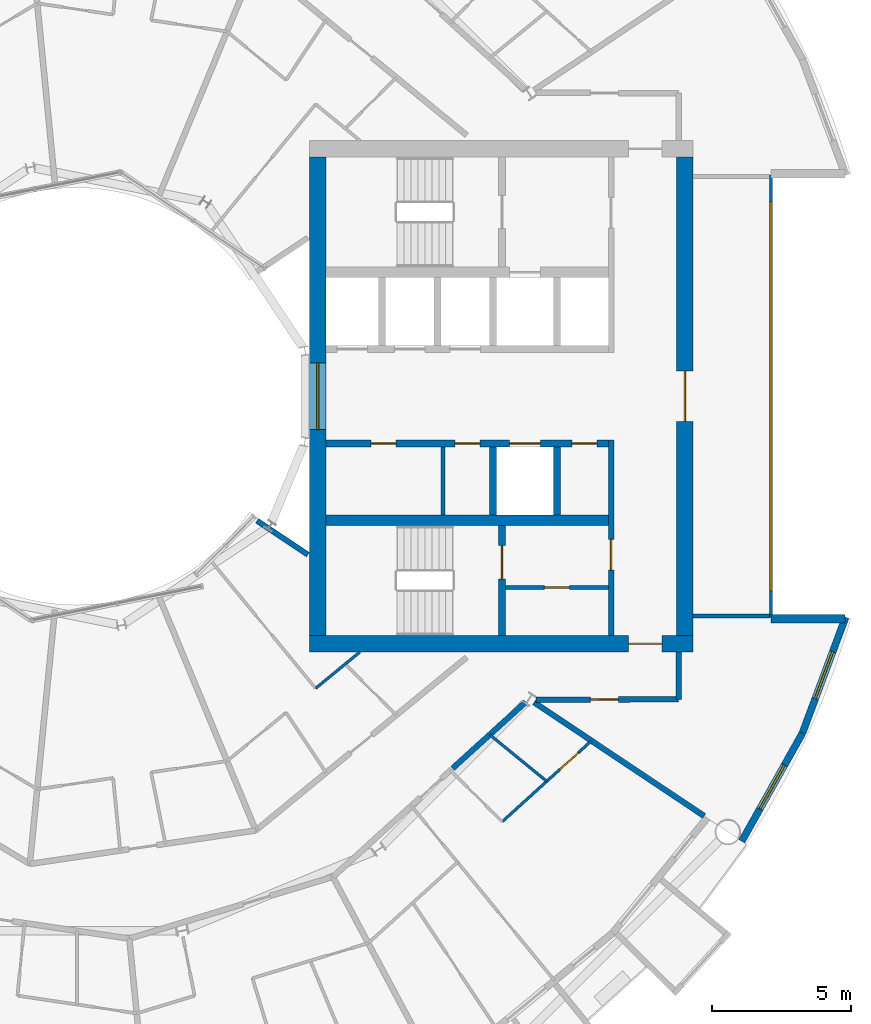
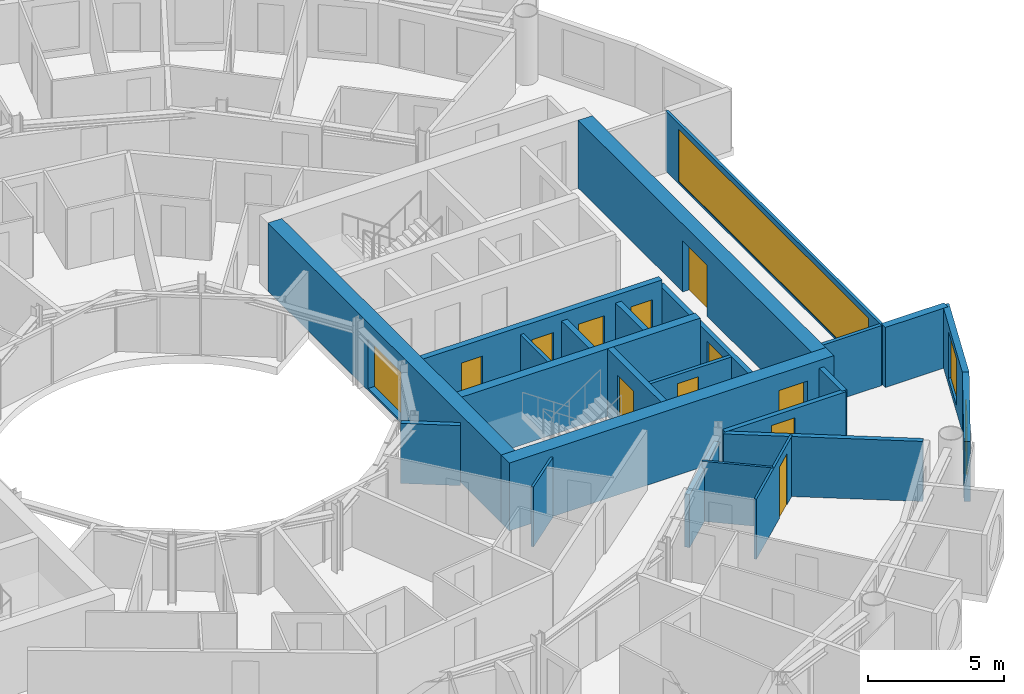
# One storey, part 18 of 28: 24 walls, 11 doors, 4 windows, 15 openings.
"""IFC4 building model written with IfcOpenShell, lengths in metres."""

from ifc_helpers import new_model, si_unit, direction, frame, frame_2d, origin, place, context, subcontext, project, spatial, rectangle, extrude, material, layer, layer_set, type_object, element, fill, save


model = new_model("IFC4")

# Units and contexts
model_context = context("Model", 3, precision=1e-05, world=origin(), true_north=direction((0.0, 1.0)))
body_context = subcontext(model_context, "Body", "Model", "MODEL_VIEW")
ifc_project = project(units=[si_unit("LENGTHUNIT", "METRE"), si_unit("AREAUNIT", "SQUARE_METRE"), si_unit("VOLUMEUNIT", "CUBIC_METRE"), si_unit("PLANEANGLEUNIT", "RADIAN"), si_unit("MASSUNIT", "GRAM", prefix="KILO")], contexts=[model_context])

# Site, building, storey
site_placement = place(None, origin())
site = spatial("IfcSite", under=ifc_project, at=site_placement, CompositionType="ELEMENT")
building_placement = place(site_placement, origin())
building = spatial("IfcBuilding", under=site, at=building_placement, Name="Maasbend Ring Residences", CompositionType="ELEMENT")
storey_placement = place(building_placement, frame((0.0, 0.0, 133.0)))
storey = spatial("IfcBuildingStorey", under=building, at=storey_placement, Name="L38", CompositionType="ELEMENT", Elevation=133.0)

# Wall, openings, doors
ifc_material_1 = material(Name="Concrete C60/75", Category="concrete")
ifc_layer_1 = layer(ifc_material_1, 0.25)
ifc_layer_set_1 = layer_set([ifc_layer_1], Name="Concrete C60/75")
wall_type_1 = type_object("IfcWallType", Name="CORE WALL 250 C60/75", PredefinedType="SHEAR", material=ifc_layer_set_1)
wall_1_placement = place(storey_placement, frame((19.14990234375, -1.699951171875, 0.0), z_axis=(0.0, 0.0, 1.0), x_axis=(-1.0, 0.0, 0.0)))
wall_1 = element("IfcWall", 1, at=wall_1_placement, inside=storey, type_object=wall_type_1, Name="L38 core E wall SPS", PredefinedType="SHEAR", context=body_context, shape_type="SweptSolid", body=[
    extrude(rectangle(XDim=10.14990234375, YDim=0.25, at=frame_2d((5.074951171875, 0.0))), origin(), (0.0, 0.0, 1.0), 3.050048828125),
])
opening_1_placement = place(wall_1_placement, frame((2.449951171875, 0.0, 0.0)))
opening_1 = element("IfcOpeningElement", 2, at=opening_1_placement, cuts=wall_1, Name="Opening LD-E3805", PredefinedType="OPENING", context=body_context, shape_type="SweptSolid", body=[
    extrude(rectangle(XDim=1.10009765625, YDim=2.300048828125, at=frame_2d((0.550048828125, 1.14990234375))), frame((0.0, 0.135009765625, 0.0), z_axis=(0.0, -1.0, 0.0), x_axis=(1.0, 0.0, 0.0)), (0.0, 0.0, 1.0), 0.27001953125),
])
opening_2_placement = place(wall_1_placement, frame((7.637451171875, 0.0, 0.0)))
opening_2 = element("IfcOpeningElement", 3, at=opening_2_placement, cuts=wall_1, Name="Opening D-E3806", PredefinedType="OPENING", context=body_context, shape_type="SweptSolid", body=[
    extrude(rectangle(XDim=0.89990234375, YDim=2.300048828125, at=frame_2d((0.449951171875, 1.14990234375))), frame((0.0, 0.135009765625, 0.0), z_axis=(0.0, -1.0, 0.0), x_axis=(1.0, 0.0, 0.0)), (0.0, 0.0, 1.0), 0.27001953125),
])
opening_3_placement = place(wall_1_placement, frame((4.625, 0.0, 0.0)))
opening_3 = element("IfcOpeningElement", 4, at=opening_3_placement, cuts=wall_1, Name="Opening D-E3807", PredefinedType="OPENING", context=body_context, shape_type="SweptSolid", body=[
    extrude(rectangle(XDim=0.89990234375, YDim=2.300048828125, at=frame_2d((0.449951171875, 1.14990234375))), frame((0.0, 0.135009765625, 0.0), z_axis=(0.0, -1.0, 0.0), x_axis=(1.0, 0.0, 0.0)), (0.0, 0.0, 1.0), 0.27001953125),
])
opening_4_placement = place(wall_1_placement, frame((0.41259765625, 0.0, 0.0)))
opening_4 = element("IfcOpeningElement", 5, at=opening_4_placement, cuts=wall_1, Name="Opening D-E3808", PredefinedType="OPENING", context=body_context, shape_type="SweptSolid", body=[
    extrude(rectangle(XDim=0.89990234375, YDim=2.300048828125, at=frame_2d((0.449951171875, 1.14990234375))), frame((0.0, 0.135009765625, 0.0), z_axis=(0.0, -1.0, 0.0), x_axis=(1.0, 0.0, 0.0)), (0.0, 0.0, 1.0), 0.27001953125),
])
ifc_material_2 = material(Name="Stainless steel 316", Category="steel")
door_type_1 = type_object("IfcDoorType", Name="LANDING DOOR 1100 X 2300 FD60", OperationType="DOUBLE_DOOR_SLIDING", PredefinedType="DOOR", material=ifc_material_2)
door_1_placement = place(opening_1_placement, origin())
door_1 = element("IfcDoor", 6, at=door_1_placement, inside=storey, type_object=door_type_1, Name="Landing door SV-E L38", OperationType="DOUBLE_DOOR_SLIDING", OverallHeight=2.300048828125, OverallWidth=1.10009765625, PredefinedType="DOOR", context=body_context, shape_type="SweptSolid", body=[
    extrude(rectangle(XDim=1.10009765625, YDim=2.300048828125, at=frame_2d((0.550048828125, 1.14990234375))), frame((0.0, 0.02490234375, 0.0), z_axis=(0.0, -1.0, 0.0), x_axis=(1.0, 0.0, 0.0)), (0.0, 0.0, 1.0), 0.050048828125),
])
fill(opening_1, door_1)
ifc_material_3 = material(Name="Steel, powder coated", Category="steel")
door_type_2 = type_object("IfcDoorType", Name="ROOM DOOR 900 X 2300 FD30S", OperationType="NOTDEFINED", PredefinedType="DOOR", material=ifc_material_3)
door_2_placement = place(opening_2_placement, origin())
door_2 = element("IfcDoor", 7, at=door_2_placement, inside=storey, type_object=door_type_2, Name="Room door L38", OperationType="SINGLE_SWING_LEFT", OverallHeight=2.300048828125, OverallWidth=0.89990234375, PredefinedType="DOOR", context=body_context, shape_type="SweptSolid", body=[
    extrude(rectangle(XDim=0.89990234375, YDim=2.300048828125, at=frame_2d((0.449951171875, 1.14990234375))), frame((0.0, 0.02490234375, 0.0), z_axis=(0.0, -1.0, 0.0), x_axis=(1.0, 0.0, 0.0)), (0.0, 0.0, 1.0), 0.050048828125),
])
fill(opening_2, door_2)
door_3_placement = place(opening_3_placement, origin())
door_3 = element("IfcDoor", 8, at=door_3_placement, inside=storey, type_object=door_type_2, Name="Room door L38", OperationType="SINGLE_SWING_LEFT", OverallHeight=2.300048828125, OverallWidth=0.89990234375, PredefinedType="DOOR", context=body_context, shape_type="SweptSolid", body=[
    extrude(rectangle(XDim=0.89990234375, YDim=2.300048828125, at=frame_2d((0.449951171875, 1.14990234375))), frame((0.0, 0.02490234375, 0.0), z_axis=(0.0, -1.0, 0.0), x_axis=(1.0, 0.0, 0.0)), (0.0, 0.0, 1.0), 0.050048828125),
])
fill(opening_3, door_3)
door_4_placement = place(opening_4_placement, origin())
door_4 = element("IfcDoor", 9, at=door_4_placement, inside=storey, type_object=door_type_2, Name="Room door L38", OperationType="SINGLE_SWING_RIGHT", OverallHeight=2.300048828125, OverallWidth=0.89990234375, PredefinedType="DOOR", context=body_context, shape_type="SweptSolid", body=[
    extrude(rectangle(XDim=0.89990234375, YDim=2.300048828125, at=frame_2d((0.449951171875, 1.14990234375))), frame((0.0, 0.02490234375, 0.0), z_axis=(0.0, -1.0, 0.0), x_axis=(1.0, 0.0, 0.0)), (0.0, 0.0, 1.0), 0.050048828125),
])
fill(opening_4, door_4)

# Wall, opening, door
wall_2_placement = place(storey_placement, frame((15.324951171875, -8.60009765625, 0.0), z_axis=(0.0, 0.0, 1.0), x_axis=(0.0, 1.0, 0.0)))
wall_2 = element("IfcWall", 10, at=wall_2_placement, inside=storey, type_object=wall_type_1, Name="L38 core E wall STES", PredefinedType="SHEAR", context=body_context, shape_type="SweptSolid", body=[
    extrude(rectangle(XDim=3.9501953125, YDim=0.25, at=frame_2d((1.97509765625, 0.0))), origin(), (0.0, 0.0, 1.0), 3.050048828125),
])
opening_5_placement = place(wall_2_placement, frame((2.02490234375, 0.0, 0.0)))
opening_5 = element("IfcOpeningElement", 11, at=opening_5_placement, cuts=wall_2, Name="Opening D-E3811", PredefinedType="OPENING", context=body_context, shape_type="SweptSolid", body=[
    extrude(rectangle(XDim=1.199951171875, YDim=2.300048828125, at=frame_2d((0.60009765625, 1.14990234375))), frame((0.0, 0.135009765625, 0.0), z_axis=(0.0, -1.0, 0.0), x_axis=(1.0, 0.0, 0.0)), (0.0, 0.0, 1.0), 0.27001953125),
])
ifc_material_4 = material(Name="Steel, powder coated", Category="steel")
door_type_3 = type_object("IfcDoorType", Name="STAIR DOOR 1200 X 2300 FD60", OperationType="NOTDEFINED", PredefinedType="DOOR", material=ifc_material_4)
door_5_placement = place(opening_5_placement, origin())
door_5 = element("IfcDoor", 12, at=door_5_placement, inside=storey, type_object=door_type_3, Name="Stair door ST-E L38", OperationType="SINGLE_SWING_LEFT", OverallHeight=2.300048828125, OverallWidth=1.199951171875, PredefinedType="DOOR", context=body_context, shape_type="SweptSolid", body=[
    extrude(rectangle(XDim=1.199951171875, YDim=2.300048828125, at=frame_2d((0.60009765625, 1.14990234375))), frame((0.0, 0.02490234375, 0.0), z_axis=(0.0, -1.0, 0.0), x_axis=(1.0, 0.0, 0.0)), (0.0, 0.0, 1.0), 0.050048828125),
])
fill(opening_5, door_5)

# Wall
ifc_material_5 = material(Name="Concrete C60/75", Category="concrete")
ifc_layer_2 = layer(ifc_material_5, 0.375)
ifc_layer_set_2 = layer_set([ifc_layer_2], Name="Concrete C60/75")
wall_type_2 = type_object("IfcWallType", Name="CORE WALL 375 C60/75", PredefinedType="SHEAR", material=ifc_layer_set_2)
wall_3_placement = place(storey_placement, frame((9.0, -4.46240234375, 0.0), z_axis=(0.0, 0.0, 1.0), x_axis=(1.0, 0.0, 0.0)))
element("IfcWall", 13, at=wall_3_placement, inside=storey, type_object=wall_type_2, Name="L38 core E wall BS", PredefinedType="SHEAR", context=body_context, shape_type="SweptSolid", body=[
    extrude(rectangle(XDim=10.14990234375, YDim=0.375, at=frame_2d((5.074951171875, 0.0))), origin(), (0.0, 0.0, 1.0), 3.050048828125),
])

# Wall, opening, door
ifc_material_6 = material(Name="Concrete C60/75", Category="concrete")
ifc_layer_3 = layer(ifc_material_6, 0.60009765625)
ifc_layer_set_3 = layer_set([ifc_layer_3], Name="Concrete C60/75")
wall_type_3 = type_object("IfcWallType", Name="CORE WALL 600 C60/75", PredefinedType="SHEAR", material=ifc_layer_set_3)
wall_4_placement = place(storey_placement, frame((8.39990234375, -8.89990234375, 0.0), z_axis=(0.0, 0.0, 1.0), x_axis=(1.0, 0.0, 0.0)))
wall_4 = element("IfcWall", 14, at=wall_4_placement, inside=storey, type_object=wall_type_3, Name="L38 core E wall PS", PredefinedType="SHEAR", context=body_context, shape_type="SweptSolid", body=[
    extrude(rectangle(XDim=13.800048828125, YDim=0.60009765625, at=frame_2d((6.89990234375, 0.0))), origin(), (0.0, 0.0, 1.0), 3.050048828125),
])
opening_6_placement = place(wall_4_placement, frame((11.47509765625, 0.0, 0.0)))
opening_6 = element("IfcOpeningElement", 15, at=opening_6_placement, cuts=wall_4, Name="Opening D-E3815", PredefinedType="OPENING", context=body_context, shape_type="SweptSolid", body=[
    extrude(rectangle(XDim=1.199951171875, YDim=2.300048828125, at=frame_2d((0.60009765625, 1.14990234375))), frame((0.0, 0.31005859375, 0.0), z_axis=(0.0, -1.0, 0.0), x_axis=(1.0, 0.0, 0.0)), (0.0, 0.0, 1.0), 0.6201171875),
])
ifc_material_7 = material(Name="Steel, powder coated", Category="steel")
door_type_4 = type_object("IfcDoorType", Name="CORRIDOR DOOR 1200 X 2300 FD30S", OperationType="NOTDEFINED", PredefinedType="DOOR", material=ifc_material_7)
door_6_placement = place(opening_6_placement, origin())
door_6 = element("IfcDoor", 16, at=door_6_placement, inside=storey, type_object=door_type_4, Name="Corridor door L38", OperationType="SINGLE_SWING_LEFT", OverallHeight=2.300048828125, OverallWidth=1.199951171875, PredefinedType="DOOR", context=body_context, shape_type="SweptSolid", body=[
    extrude(rectangle(XDim=1.199951171875, YDim=2.300048828125, at=frame_2d((0.60009765625, 1.14990234375))), frame((0.0, 0.02490234375, 0.0), z_axis=(0.0, -1.0, 0.0), x_axis=(1.0, 0.0, 0.0)), (0.0, 0.0, 1.0), 0.050048828125),
])
fill(opening_6, door_6)

wall_5_placement = place(storey_placement, frame((21.89990234375, 8.60009765625, 0.0), z_axis=(0.0, 0.0, 1.0), x_axis=(0.0, -1.0, 0.0)))
wall_5 = element("IfcWall", 17, at=wall_5_placement, inside=storey, type_object=wall_type_3, Name="L38 core E wall POUT", PredefinedType="SHEAR", context=body_context, shape_type="SweptSolid", body=[
    extrude(rectangle(XDim=17.2001953125, YDim=0.60009765625, at=frame_2d((8.60009765625, 0.0))), origin(), (0.0, 0.0, 1.0), 3.050048828125),
])
opening_7_placement = place(wall_5_placement, frame((7.699951171875, 0.0, 0.0)))
opening_7 = element("IfcOpeningElement", 18, at=opening_7_placement, cuts=wall_5, Name="Opening D-E3816", PredefinedType="OPENING", context=body_context, shape_type="SweptSolid", body=[
    extrude(rectangle(XDim=1.800048828125, YDim=2.300048828125, at=frame_2d((0.89990234375, 1.14990234375))), frame((0.0, 0.31005859375, 0.0), z_axis=(0.0, -1.0, 0.0), x_axis=(1.0, 0.0, 0.0)), (0.0, 0.0, 1.0), 0.6201171875),
])
ifc_material_8 = material(Name="Aluminium frame, clear glass", Category="aluminium")
door_type_5 = type_object("IfcDoorType", Name="ENTRANCE DOOR 1800 X 2300 FD60", OperationType="NOTDEFINED", PredefinedType="DOOR", material=ifc_material_8)
door_7_placement = place(opening_7_placement, origin())
door_7 = element("IfcDoor", 19, at=door_7_placement, inside=storey, type_object=door_type_5, Name="Lobby glazed door L38", OperationType="SINGLE_SWING_LEFT", OverallHeight=2.300048828125, OverallWidth=1.800048828125, PredefinedType="DOOR", context=body_context, shape_type="SweptSolid", body=[
    extrude(rectangle(XDim=1.800048828125, YDim=2.300048828125, at=frame_2d((0.89990234375, 1.14990234375))), frame((0.0, 0.02490234375, 0.0), z_axis=(0.0, -1.0, 0.0), x_axis=(1.0, 0.0, 0.0)), (0.0, 0.0, 1.0), 0.050048828125),
])
fill(opening_7, door_7)

# Wall, opening, window
wall_6_placement = place(storey_placement, frame((8.699951171875, -8.60009765625, 0.0), z_axis=(0.0, 0.0, 1.0), x_axis=(0.0, 1.0, 0.0)))
wall_6 = element("IfcWall", 20, at=wall_6_placement, inside=storey, type_object=wall_type_3, Name="L38 core E wall PIN", PredefinedType="SHEAR", context=body_context, shape_type="SweptSolid", body=[
    extrude(rectangle(XDim=17.2001953125, YDim=0.60009765625, at=frame_2d((8.60009765625, 0.0))), origin(), (0.0, 0.0, 1.0), 3.050048828125),
])
opening_8_placement = place(wall_6_placement, frame((7.39990234375, 0.0, 0.10009765625)))
opening_8 = element("IfcOpeningElement", 21, at=opening_8_placement, cuts=wall_6, Name="Opening W-E3801", PredefinedType="OPENING", context=body_context, shape_type="SweptSolid", body=[
    extrude(rectangle(XDim=2.39990234375, YDim=2.199951171875, at=frame_2d((1.199951171875, 1.10009765625))), frame((0.0, 0.31005859375, 0.0), z_axis=(0.0, -1.0, 0.0), x_axis=(1.0, 0.0, 0.0)), (0.0, 0.0, 1.0), 0.6201171875),
])
ifc_material_9 = material(Name="Aluminium frame and clear glass", Category="aluminium")
window_type_1 = type_object("IfcWindowType", Name="FIXED WINDOW 2400 X 2200", PartitioningType="SINGLE_PANEL", PredefinedType="WINDOW", material=ifc_material_9)
window_1_placement = place(opening_8_placement, origin())
window_1 = element("IfcWindow", 22, at=window_1_placement, inside=storey, type_object=window_type_1, Name="Lobby window L38", OverallHeight=2.199951171875, OverallWidth=2.39990234375, PartitioningType="SINGLE_PANEL", PredefinedType="WINDOW", context=body_context, shape_type="SweptSolid", body=[
    extrude(rectangle(XDim=2.39990234375, YDim=2.199951171875, at=frame_2d((1.199951171875, 1.10009765625))), frame((0.0, 0.030029296875, 0.0), z_axis=(0.0, -1.0, 0.0), x_axis=(1.0, 0.0, 0.0)), (0.0, 0.0, 1.0), 0.06005859375),
])
fill(opening_8, window_1)

# Walls
ifc_material_10 = material(Name="Concrete C30/37", Category="concrete")
ifc_layer_4 = layer(ifc_material_10, 0.199951171875)
ifc_layer_set_4 = layer_set([ifc_layer_4], Name="Concrete C30/37")
wall_type_4 = type_object("IfcWallType", Name="CORRIDOR WALL 200 CONCRETE", PredefinedType="PARTITIONING", material=ifc_layer_set_4)
wall_7_placement = place(storey_placement, frame((21.675048828125, -10.89990234375, 0.0), z_axis=(0.0, 0.0, 1.0), x_axis=(0.0, 1.0, 0.0)))
element("IfcWall", 23, at=wall_7_placement, inside=storey, type_object=wall_type_4, Name="U-L38-w003", PredefinedType="PARTITIONING", context=body_context, shape_type="SweptSolid", body=[
    extrude(rectangle(XDim=1.699951171875, YDim=0.199951171875, at=frame_2d((0.85009765625, 0.0))), origin(), (0.0, 0.0, 1.0), 2.699951171875),
])
wall_8_placement = place(storey_placement, frame((13.544921875, -13.384033203125, 0.0), z_axis=(0.0, 0.0, 1.0), x_axis=(0.740607766684, 0.671937598239, 0.0)))
element("IfcWall", 24, at=wall_8_placement, inside=storey, type_object=wall_type_4, Name="U-L38-w014", PredefinedType="PARTITIONING", context=body_context, shape_type="SweptSolid", body=[
    extrude(rectangle(XDim=3.55517578125, YDim=0.199951171875, at=frame_2d((1.777587890625, 0.0))), origin(), (0.0, 0.0, 1.0), 2.389892578125),
])

# Wall, opening, door
wall_9_placement = place(storey_placement, frame((16.5400390625, -10.9130859375, 0.0), z_axis=(0.0, 0.0, 1.0), x_axis=(0.99999670426, 0.002567385634, 0.0)))
wall_9 = element("IfcWall", 25, at=wall_9_placement, inside=storey, type_object=wall_type_4, Name="U-L38-w026", PredefinedType="PARTITIONING", context=body_context, shape_type="SweptSolid", body=[
    extrude(rectangle(XDim=5.135009765625, YDim=0.199951171875, at=frame_2d((2.5673828125, 0.0))), origin(), (0.0, 0.0, 1.0), 2.699951171875),
])
opening_9_placement = place(wall_9_placement, frame((1.965087890625, 0.0, 0.0)))
opening_9 = element("IfcOpeningElement", 26, at=opening_9_placement, cuts=wall_9, Name="Opening D-3873", PredefinedType="OPENING", context=body_context, shape_type="SweptSolid", body=[
    extrude(rectangle(XDim=1.0, YDim=2.300048828125, at=frame_2d((0.5, 1.14990234375))), frame((0.0, 0.10986328125, 0.0), z_axis=(0.0, -1.0, 0.0), x_axis=(1.0, 0.0, 0.0)), (0.0, 0.0, 1.0), 0.219970703125),
])
ifc_material_11 = material(Name="Timber, painted", Category="wood")
door_type_6 = type_object("IfcDoorType", Name="ROOM DOOR 1000 X 2300", OperationType="NOTDEFINED", PredefinedType="DOOR", material=ifc_material_11)
door_8_placement = place(opening_9_placement, origin())
door_8 = element("IfcDoor", 27, at=door_8_placement, inside=storey, type_object=door_type_6, Name="D-3873", OperationType="SINGLE_SWING_LEFT", OverallHeight=2.300048828125, OverallWidth=1.0, PredefinedType="DOOR", context=body_context, shape_type="SweptSolid", body=[
    extrude(rectangle(XDim=1.0, YDim=2.300048828125, at=frame_2d((0.5, 1.14990234375))), frame((0.0, 0.02490234375, 0.0), z_axis=(0.0, -1.0, 0.0), x_axis=(1.0, 0.0, 0.0)), (0.0, 0.0, 1.0), 0.050048828125),
])
fill(opening_9, door_8)

# Wall, opening, window
ifc_material_12 = material(Name="Aluminium clad insulated panel", Category="aluminium")
ifc_layer_5 = layer(ifc_material_12, 0.25)
ifc_layer_set_5 = layer_set([ifc_layer_5], Name="EW-HORN")
wall_type_5 = type_object("IfcWallType", Name="EW-HORN", PredefinedType="SOLIDWALL", material=ifc_layer_set_5)
wall_10_placement = place(storey_placement, frame((23.946044921875, -16.0, 0.0), z_axis=(0.0, 0.0, 1.0), x_axis=(0.489696356642, 0.871893042919, 0.0)))
wall_10 = element("IfcWall", 28, at=wall_10_placement, inside=storey, type_object=wall_type_5, Name="Horn wall 2.1", PredefinedType="SOLIDWALL", context=body_context, shape_type="SweptSolid", body=[
    extrude(rectangle(XDim=4.45361328125, YDim=0.25, at=frame_2d((2.226806640625, 0.0))), origin(), (0.0, 0.0, 1.0), 2.699951171875),
])
opening_10_placement = place(wall_10_placement, frame((1.32666015625, 0.0, 0.300048828125)))
opening_10 = element("IfcOpeningElement", 29, at=opening_10_placement, cuts=wall_10, Name="Opening W-BX", PredefinedType="OPENING", context=body_context, shape_type="SweptSolid", body=[
    extrude(rectangle(XDim=1.800048828125, YDim=2.10009765625, at=frame_2d((0.89990234375, 1.050048828125))), frame((0.0, 0.135009765625, 0.0), z_axis=(0.0, -1.0, 0.0), x_axis=(1.0, 0.0, 0.0)), (0.0, 0.0, 1.0), 0.27001953125),
])
ifc_material_13 = material(Name="Aluminium and clear glass", Category="aluminium")
window_type_2 = type_object("IfcWindowType", Name="W-BX", PartitioningType="DOUBLE_PANEL_VERTICAL", PredefinedType="WINDOW", material=ifc_material_13)
window_2_placement = place(opening_10_placement, origin())
window_2 = element("IfcWindow", 30, at=window_2_placement, inside=storey, type_object=window_type_2, Name="Horn window 2.1", OverallHeight=2.10009765625, OverallWidth=1.800048828125, PartitioningType="SINGLE_PANEL", PredefinedType="WINDOW", context=body_context, shape_type="SweptSolid", body=[
    extrude(rectangle(XDim=1.800048828125, YDim=2.10009765625, at=frame_2d((0.89990234375, 1.050048828125))), frame((0.0, 0.030029296875, 0.0), z_axis=(0.0, -1.0, 0.0), x_axis=(1.0, 0.0, 0.0)), (0.0, 0.0, 1.0), 0.06005859375),
])
fill(opening_10, window_2)

wall_11_placement = place(storey_placement, frame((26.126953125, -12.116943359375, 0.0), z_axis=(0.0, 0.0, 1.0), x_axis=(0.349247811493, 0.937030397675, 0.0)))
wall_11 = element("IfcWall", 31, at=wall_11_placement, inside=storey, type_object=wall_type_5, Name="Horn wall 2.2", PredefinedType="SOLIDWALL", context=body_context, shape_type="SweptSolid", body=[
    extrude(rectangle(XDim=4.4521484375, YDim=0.25, at=frame_2d((2.22607421875, 0.0))), origin(), (0.0, 0.0, 1.0), 2.699951171875),
])
opening_11_placement = place(wall_11_placement, frame((1.32666015625, 0.0, 0.300048828125)))
opening_11 = element("IfcOpeningElement", 32, at=opening_11_placement, cuts=wall_11, Name="Opening W-BX", PredefinedType="OPENING", context=body_context, shape_type="SweptSolid", body=[
    extrude(rectangle(XDim=1.800048828125, YDim=2.10009765625, at=frame_2d((0.89990234375, 1.050048828125))), frame((0.0, 0.135009765625, 0.0), z_axis=(0.0, -1.0, 0.0), x_axis=(1.0, 0.0, 0.0)), (0.0, 0.0, 1.0), 0.27001953125),
])
window_3_placement = place(opening_11_placement, origin())
window_3 = element("IfcWindow", 33, at=window_3_placement, inside=storey, type_object=window_type_2, Name="Horn window 2.2", OverallHeight=2.10009765625, OverallWidth=1.800048828125, PartitioningType="SINGLE_PANEL", PredefinedType="WINDOW", context=body_context, shape_type="SweptSolid", body=[
    extrude(rectangle(XDim=1.800048828125, YDim=2.10009765625, at=frame_2d((0.89990234375, 1.050048828125))), frame((0.0, 0.030029296875, 0.0), z_axis=(0.0, -1.0, 0.0), x_axis=(1.0, 0.0, 0.0)), (0.0, 0.0, 1.0), 0.06005859375),
])
fill(opening_11, window_3)

# Wall
ifc_material_14 = material(Name="Aluminium clad insulated panel", Category="aluminium")
ifc_layer_6 = layer(ifc_material_14, 0.300048828125)
ifc_layer_set_6 = layer_set([ifc_layer_6], Name="EW-RET")
wall_type_6 = type_object("IfcWallType", Name="EW-RET", PredefinedType="SOLIDWALL", material=ifc_layer_set_6)
wall_12_placement = place(storey_placement, frame((25.0, -8.0, 0.0), z_axis=(0.0, 0.0, 1.0), x_axis=(1.0, 0.0, 0.0)))
element("IfcWall", 34, at=wall_12_placement, inside=storey, type_object=wall_type_6, Name="Notch return wall east south", PredefinedType="SOLIDWALL", context=body_context, shape_type="SweptSolid", body=[
    extrude(rectangle(XDim=2.6669921875, YDim=0.300048828125, at=frame_2d((1.33349609375, 0.0))), origin(), (0.0, 0.0, 1.0), 2.699951171875),
])

# Wall, opening, window
ifc_material_15 = material(Name="Aluminium frame and clear glass", Category="aluminium")
ifc_layer_7 = layer(ifc_material_15, 0.1201171875)
ifc_layer_set_7 = layer_set([ifc_layer_7], Name="GLAZED SCREEN WALL 120 EI 60")
wall_type_7 = type_object("IfcWallType", Name="GLAZED SCREEN WALL 120 EI 60", PredefinedType="PARTITIONING", material=ifc_layer_set_7)
wall_13_placement = place(storey_placement, frame((25.0, -7.949951171875, 0.0), z_axis=(0.0, 0.0, 1.0), x_axis=(0.0, 1.0, 0.0)))
wall_13 = element("IfcWall", 35, at=wall_13_placement, inside=storey, type_object=wall_type_7, Name="L38 core E wall FACE", PredefinedType="PARTITIONING", context=body_context, shape_type="SweptSolid", body=[
    extrude(rectangle(XDim=15.89990234375, YDim=0.1201171875, at=frame_2d((7.949951171875, 0.0))), origin(), (0.0, 0.0, 1.0), 2.699951171875),
])
opening_12_placement = place(wall_13_placement, frame((0.949951171875, 0.0, 0.10009765625)))
opening_12 = element("IfcOpeningElement", 36, at=opening_12_placement, cuts=wall_13, Name="Opening W-E3802", PredefinedType="OPENING", context=body_context, shape_type="SweptSolid", body=[
    extrude(rectangle(XDim=14.0, YDim=2.35009765625, at=frame_2d((7.0, 1.175048828125))), frame((0.0, 0.070068359375, 0.0), z_axis=(0.0, -1.0, 0.0), x_axis=(1.0, 0.0, 0.0)), (0.0, 0.0, 1.0), 0.14013671875),
])
ifc_material_16 = material(Name="Aluminium frame and clear glass", Category="aluminium")
window_type_3 = type_object("IfcWindowType", Name="FIXED WINDOW 14000 X 2350", PartitioningType="SINGLE_PANEL", PredefinedType="WINDOW", material=ifc_material_16)
window_4_placement = place(opening_12_placement, origin())
window_4 = element("IfcWindow", 37, at=window_4_placement, inside=storey, type_object=window_type_3, Name="Lobby window L38", OverallHeight=2.35009765625, OverallWidth=14.0, PartitioningType="SINGLE_PANEL", PredefinedType="WINDOW", context=body_context, shape_type="SweptSolid", body=[
    extrude(rectangle(XDim=14.0, YDim=2.35009765625, at=frame_2d((7.0, 1.175048828125))), frame((0.0, 0.030029296875, 0.0), z_axis=(0.0, -1.0, 0.0), x_axis=(1.0, 0.0, 0.0)), (0.0, 0.0, 1.0), 0.06005859375),
])
fill(opening_12, window_4)

# Wall, opening, door
ifc_material_17 = material(Name="Gypsum board on steel studs", Category="steel")
ifc_layer_8 = layer(ifc_material_17, 0.10009765625)
ifc_layer_set_8 = layer_set([ifc_layer_8], Name="PARTITION 100 GYPSUM")
wall_type_8 = type_object("IfcWallType", Name="PARTITION 100 GYPSUM", PredefinedType="PARTITIONING", material=ifc_layer_set_8)
wall_14_placement = place(storey_placement, frame((15.3359375, -15.2958984375, 0.0), z_axis=(0.0, 0.0, 1.0), x_axis=(0.740895789277, 0.671620003746, 0.0)))
wall_14 = element("IfcWall", 38, at=wall_14_placement, inside=storey, type_object=wall_type_8, Name="U-L38-w008", PredefinedType="PARTITIONING", context=body_context, shape_type="SweptSolid", body=[
    extrude(rectangle(XDim=4.331298828125, YDim=0.10009765625, at=frame_2d((2.16552734375, 0.0))), origin(), (0.0, 0.0, 1.0), 2.699951171875),
])
opening_13_placement = place(wall_14_placement, frame((2.7958984375, 0.0, 0.0)))
opening_13 = element("IfcOpeningElement", 39, at=opening_13_placement, cuts=wall_14, Name="Opening D-3854", PredefinedType="OPENING", context=body_context, shape_type="SweptSolid", body=[
    extrude(rectangle(XDim=0.89990234375, YDim=2.300048828125, at=frame_2d((0.449951171875, 1.14990234375))), frame((0.0, 0.06005859375, 0.0), z_axis=(0.0, -1.0, 0.0), x_axis=(1.0, 0.0, 0.0)), (0.0, 0.0, 1.0), 0.1201171875),
])
ifc_material_18 = material(Name="Timber, painted", Category="wood")
door_type_7 = type_object("IfcDoorType", Name="INTERNAL DOOR 900 X 2300", OperationType="NOTDEFINED", PredefinedType="DOOR", material=ifc_material_18)
door_9_placement = place(opening_13_placement, origin())
door_9 = element("IfcDoor", 40, at=door_9_placement, inside=storey, type_object=door_type_7, Name="D-3854", OperationType="SINGLE_SWING_RIGHT", OverallHeight=2.300048828125, OverallWidth=0.89990234375, PredefinedType="DOOR", context=body_context, shape_type="SweptSolid", body=[
    extrude(rectangle(XDim=0.89990234375, YDim=2.300048828125, at=frame_2d((0.449951171875, 1.14990234375))), frame((0.0, 0.02490234375, 0.0), z_axis=(0.0, -1.0, 0.0), x_axis=(1.0, 0.0, 0.0)), (0.0, 0.0, 1.0), 0.050048828125),
])
fill(opening_13, door_9)

# Walls
wall_15_placement = place(storey_placement, frame((8.625, -10.5009765625, 0.0), z_axis=(0.0, 0.0, 1.0), x_axis=(0.772817828959, 0.634627925042, 0.0)))
element("IfcWall", 41, at=wall_15_placement, inside=storey, type_object=wall_type_8, Name="U-L38-w022", PredefinedType="PARTITIONING", context=body_context, shape_type="SweptSolid", body=[
    extrude(rectangle(XDim=2.0546875, YDim=0.10009765625, at=frame_2d((1.02734375, 0.0))), origin(), (0.0, 0.0, 1.0), 2.699951171875),
])
wall_16_placement = place(storey_placement, frame((14.882080078125, -12.1708984375, 0.0), z_axis=(0.0, 0.0, 1.0), x_axis=(0.774162545943, -0.632986850147, 0.0)))
element("IfcWall", 42, at=wall_16_placement, inside=storey, type_object=wall_type_8, Name="U-L38-w092", PredefinedType="PARTITIONING", context=body_context, shape_type="SweptSolid", body=[
    extrude(rectangle(XDim=2.6494140625, YDim=0.10009765625, at=frame_2d((1.32470703125, 0.0))), origin(), (0.0, 0.0, 1.0), 2.699951171875),
])
ifc_material_19 = material(Name="Gypsum board on steel studs", Category="steel")
ifc_layer_9 = layer(ifc_material_19, 0.14990234375)
ifc_layer_set_9 = layer_set([ifc_layer_9], Name="PARTITION 150 EI 60")
wall_type_9 = type_object("IfcWallType", Name="PARTITION 150 EI 60", PredefinedType="PARTITIONING", material=ifc_layer_set_9)
wall_17_placement = place(storey_placement, frame((13.199951171875, -1.824951171875, 0.0), z_axis=(0.0, 0.0, 1.0), x_axis=(0.0, -1.0, 0.0)))
element("IfcWall", 43, at=wall_17_placement, inside=storey, type_object=wall_type_9, Name="L38 core E wall PRS1320", PredefinedType="PARTITIONING", context=body_context, shape_type="SweptSolid", body=[
    extrude(rectangle(XDim=2.449951171875, YDim=0.14990234375, at=frame_2d((1.22509765625, 0.0))), origin(), (0.0, 0.0, 1.0), 2.699951171875),
])

# Wall, opening, door
wall_18_placement = place(storey_placement, frame((15.449951171875, -6.875, 0.0), z_axis=(0.0, 0.0, 1.0), x_axis=(1.0, 0.0, 0.0)))
wall_18 = element("IfcWall", 44, at=wall_18_placement, inside=storey, type_object=wall_type_9, Name="L38 core E wall RHS", PredefinedType="PARTITIONING", context=body_context, shape_type="SweptSolid", body=[
    extrude(rectangle(XDim=3.699951171875, YDim=0.14990234375, at=frame_2d((1.85009765625, 0.0))), origin(), (0.0, 0.0, 1.0), 2.699951171875),
])
opening_14_placement = place(wall_18_placement, frame((1.39990234375, 0.0, 0.0)))
opening_14 = element("IfcOpeningElement", 45, at=opening_14_placement, cuts=wall_18, Name="Opening D-E3809", PredefinedType="OPENING", context=body_context, shape_type="SweptSolid", body=[
    extrude(rectangle(XDim=0.89990234375, YDim=2.300048828125, at=frame_2d((0.449951171875, 1.14990234375))), frame((0.0, 0.0849609375, 0.0), z_axis=(0.0, -1.0, 0.0), x_axis=(1.0, 0.0, 0.0)), (0.0, 0.0, 1.0), 0.169921875),
])
ifc_material_20 = material(Name="Steel, powder coated", Category="steel")
door_type_8 = type_object("IfcDoorType", Name="RISER DOOR 900 X 2300 FD60", OperationType="NOTDEFINED", PredefinedType="DOOR", material=ifc_material_20)
door_10_placement = place(opening_14_placement, origin())
door_10 = element("IfcDoor", 46, at=door_10_placement, inside=storey, type_object=door_type_8, Name="Riser door L38", OperationType="SINGLE_SWING_LEFT", OverallHeight=2.300048828125, OverallWidth=0.89990234375, PredefinedType="DOOR", context=body_context, shape_type="SweptSolid", body=[
    extrude(rectangle(XDim=0.89990234375, YDim=2.300048828125, at=frame_2d((0.449951171875, 1.14990234375))), frame((0.0, 0.02490234375, 0.0), z_axis=(0.0, -1.0, 0.0), x_axis=(1.0, 0.0, 0.0)), (0.0, 0.0, 1.0), 0.050048828125),
])
fill(opening_14, door_10)

# Walls
wall_19_placement = place(storey_placement, frame((22.199951171875, -7.89990234375, 0.0), z_axis=(0.0, 0.0, 1.0), x_axis=(1.0, 0.0, 0.0)))
element("IfcWall", 47, at=wall_19_placement, inside=storey, type_object=wall_type_9, Name="L38 core E wall CITS", PredefinedType="PARTITIONING", context=body_context, shape_type="SweptSolid", body=[
    extrude(rectangle(XDim=2.739990234375, YDim=0.14990234375, at=frame_2d((1.3701171875, 0.0))), origin(), (0.0, 0.0, 1.0), 2.699951171875),
])
ifc_material_21 = material(Name="Concrete C30/37", Category="concrete")
ifc_layer_10 = layer(ifc_material_21, 0.199951171875)
ifc_layer_set_10 = layer_set([ifc_layer_10], Name="Concrete C30/37")
wall_type_10 = type_object("IfcWallType", Name="PARTY WALL 200 CONCRETE", PredefinedType="PARTITIONING", material=ifc_layer_set_10)
wall_20_placement = place(storey_placement, frame((6.512939453125, -4.471923828125, 0.0), z_axis=(0.0, 0.0, 1.0), x_axis=(0.831333375071, -0.555774072347, 0.0)))
element("IfcWall", 48, at=wall_20_placement, inside=storey, type_object=wall_type_10, Name="U-L38-w028", PredefinedType="PARTITIONING", context=body_context, shape_type="SweptSolid", body=[
    extrude(rectangle(XDim=2.20263671875, YDim=0.199951171875, at=frame_2d((1.101318359375, 0.0))), origin(), (0.0, 0.0, 1.0), 2.699951171875),
])
wall_21_placement = place(storey_placement, frame((16.47705078125, -11.009033203125, 0.0), z_axis=(0.0, 0.0, 1.0), x_axis=(0.831467903109, -0.555572791, 0.0)))
element("IfcWall", 49, at=wall_21_placement, inside=storey, type_object=wall_type_10, Name="U-L38-w094", PredefinedType="PARTITIONING", context=body_context, shape_type="SweptSolid", body=[
    extrude(rectangle(XDim=7.35791015625, YDim=0.199951171875, at=frame_2d((3.678955078125, 0.0))), origin(), (0.0, 0.0, 1.0), 2.699951171875),
])

# Wall, opening, door
ifc_material_22 = material(Name="Concrete C30/37", Category="concrete")
ifc_layer_11 = layer(ifc_material_22, 0.199951171875)
ifc_layer_set_11 = layer_set([ifc_layer_11], Name="Concrete C30/37")
wall_type_11 = type_object("IfcWallType", Name="SHAFT WALL 200 EI 120", PredefinedType="SOLIDWALL", material=ifc_layer_set_11)
wall_22_placement = place(storey_placement, frame((19.25, -8.60009765625, 0.0), z_axis=(0.0, 0.0, 1.0), x_axis=(0.0, 1.0, 0.0)))
wall_22 = element("IfcWall", 50, at=wall_22_placement, inside=storey, type_object=wall_type_11, Name="L38 core E wall ENDS", PredefinedType="SOLIDWALL", context=body_context, shape_type="SweptSolid", body=[
    extrude(rectangle(XDim=7.025146484375, YDim=0.199951171875, at=frame_2d((3.5126953125, 0.0))), origin(), (0.0, 0.0, 1.0), 2.699951171875),
])
opening_15_placement = place(wall_22_placement, frame((2.35009765625, 0.0, 0.0)))
opening_15 = element("IfcOpeningElement", 51, at=opening_15_placement, cuts=wall_22, Name="Opening D-E3813", PredefinedType="OPENING", context=body_context, shape_type="SweptSolid", body=[
    extrude(rectangle(XDim=1.10009765625, YDim=2.300048828125, at=frame_2d((0.550048828125, 1.14990234375))), frame((0.0, 0.10986328125, 0.0), z_axis=(0.0, -1.0, 0.0), x_axis=(1.0, 0.0, 0.0)), (0.0, 0.0, 1.0), 0.219970703125),
])
ifc_material_23 = material(Name="Steel, powder coated", Category="steel")
door_type_9 = type_object("IfcDoorType", Name="LOBBY DOOR 1100 X 2300 FD60", OperationType="NOTDEFINED", PredefinedType="DOOR", material=ifc_material_23)
door_11_placement = place(opening_15_placement, origin())
door_11 = element("IfcDoor", 52, at=door_11_placement, inside=storey, type_object=door_type_9, Name="Lobby door L38", OperationType="SINGLE_SWING_RIGHT", OverallHeight=2.300048828125, OverallWidth=1.10009765625, PredefinedType="DOOR", context=body_context, shape_type="SweptSolid", body=[
    extrude(rectangle(XDim=1.10009765625, YDim=2.300048828125, at=frame_2d((0.550048828125, 1.14990234375))), frame((0.0, 0.02490234375, 0.0), z_axis=(0.0, -1.0, 0.0), x_axis=(1.0, 0.0, 0.0)), (0.0, 0.0, 1.0), 0.050048828125),
])
fill(opening_15, door_11)

# Walls
ifc_material_24 = material(Name="Concrete C30/37", Category="concrete")
ifc_layer_12 = layer(ifc_material_24, 0.25)
ifc_layer_set_12 = layer_set([ifc_layer_12], Name="Concrete C30/37")
wall_type_12 = type_object("IfcWallType", Name="SHAFT WALL 250 EI 120", PredefinedType="SOLIDWALL", material=ifc_layer_set_12)
for number, where, z_axis, x_axis, name in (
    (53, (15.0, -1.824951171875, 0.0), (0.0, 0.0, 1.0), (0.0, -1.0, 0.0), "L38 core E wall D150S"),
    (54, (17.300048828125, -1.824951171875, 0.0), (0.0, 0.0, 1.0), (0.0, -1.0, 0.0), "L38 core E wall D173S"),
):
    element("IfcWall", number, at=place(storey_placement, frame(where, z_axis=z_axis, x_axis=x_axis)), inside=storey, type_object=wall_type_12, Name=name, PredefinedType="SOLIDWALL", context=body_context, shape_type="SweptSolid", body=[
        extrude(rectangle(XDim=2.449951171875, YDim=0.25, at=frame_2d((1.22509765625, 0.0))), origin(), (0.0, 0.0, 1.0), 2.699951171875),
    ])

save(model, "model.ifc")
